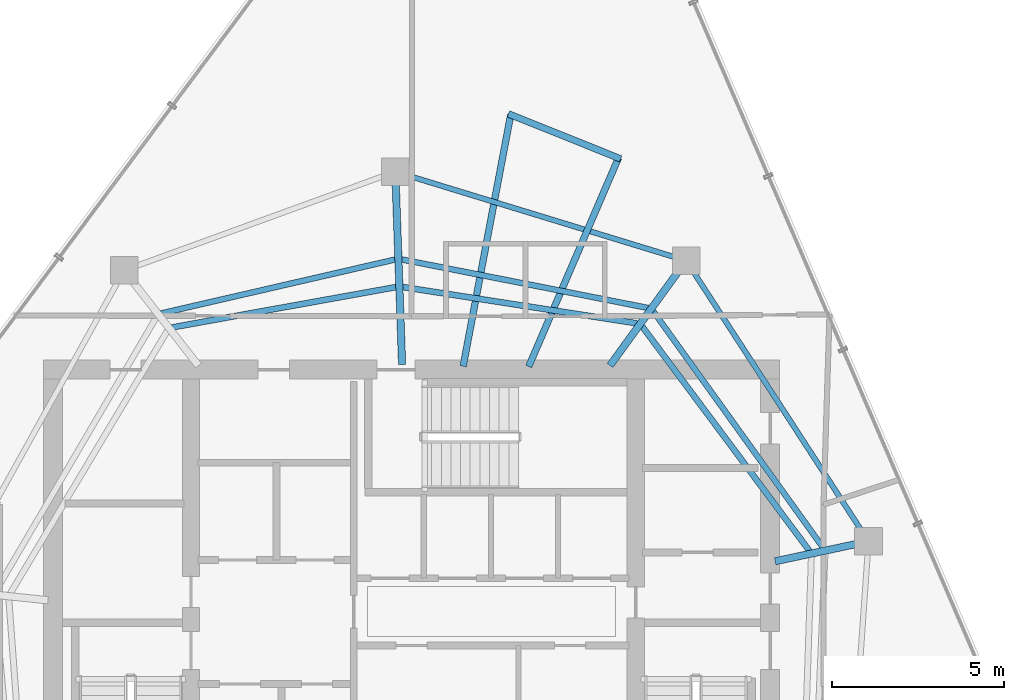
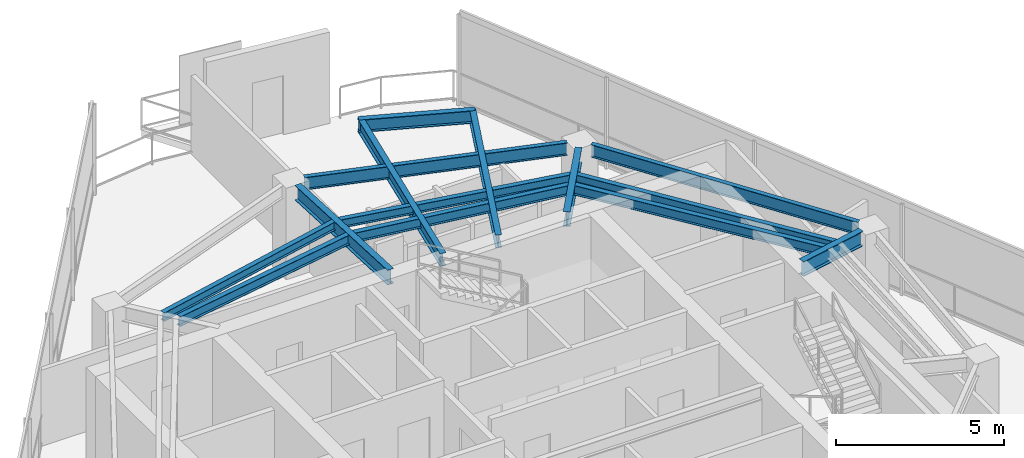
# One storey, part 9 of 18: 14 beams.
"""IFC4 building model written with IfcOpenShell, lengths in metres."""

from ifc_helpers import new_model, si_unit, direction, frame, origin, origin_2d, place, context, subcontext, project, spatial, i_section, extrude, material, material_profile, profile_set, type_object, element, save


model = new_model("IFC4")

# Units and contexts
model_context = context("Model", 3, precision=1e-05, world=origin(), true_north=direction((0.0, 1.0)))
body_context = subcontext(model_context, "Body", "Model", "MODEL_VIEW")
ifc_project = project(units=[si_unit("LENGTHUNIT", "METRE"), si_unit("AREAUNIT", "SQUARE_METRE"), si_unit("VOLUMEUNIT", "CUBIC_METRE"), si_unit("PLANEANGLEUNIT", "RADIAN"), si_unit("MASSUNIT", "GRAM", prefix="KILO")], contexts=[model_context])

# Site, building, storey
site_placement = place(None, origin())
site = spatial("IfcSite", under=ifc_project, at=site_placement, CompositionType="ELEMENT")
building_placement = place(site_placement, origin())
building = spatial("IfcBuilding", under=site, at=building_placement, Name="Qarnah Convention Tower", CompositionType="ELEMENT")
storey_placement = place(building_placement, frame((0.0, 0.0, 267.89990234375)))
storey = spatial("IfcBuildingStorey", under=building, at=storey_placement, Name="L72", CompositionType="ELEMENT", Elevation=267.89990234375)

# Beams
ifc_material = material(Name="Structural steel S355JR", Category="steel")
ifc_material_profile_1 = material_profile(ifc_material, i_section(OverallWidth=0.19189453125, OverallDepth=0.464111328125, WebThickness=0.010986328125, FlangeThickness=0.01806640625, at=origin_2d()), Name="W460X89")
ifc_profile_set_1 = profile_set([ifc_material_profile_1], Name="Structural steel S355JR")
beam_type_1 = type_object("IfcBeamType", Name="BM-CANT-W460A", PredefinedType="BEAM", material=ifc_profile_set_1)
beam_1_placement = place(storey_placement, frame((38.694091796875, 34.298095703125, 3.088134765625), z_axis=(0.185836759901, 0.982580632146, 0.0), x_axis=(-0.982580632146, 0.185836759901, 0.0)))
element("IfcBeam", 1, at=beam_1_placement, inside=storey, type_object=beam_type_1, Name="L72 beam BM-L72-CNT-01-1", PredefinedType="BEAM", context=body_context, shape_type="SweptSolid", body=[
    extrude(i_section(OverallWidth=0.19189453125, OverallDepth=0.464111328125, WebThickness=0.010986328125, FlangeThickness=0.01806640625, at=origin_2d()), origin(), (0.0, 0.0, 1.0), 7.42529296875),
])
beam_2_placement = place(storey_placement, frame((40.596923828125, 34.2919921875, 3.088134765625), z_axis=(0.395203303624, 0.918593679929, 0.0), x_axis=(-0.918593679929, 0.395203303624, 0.0)))
element("IfcBeam", 2, at=beam_2_placement, inside=storey, type_object=beam_type_1, Name="L72 beam BM-L72-CNT-01-2", PredefinedType="BEAM", context=body_context, shape_type="SweptSolid", body=[
    extrude(i_section(OverallWidth=0.19189453125, OverallDepth=0.464111328125, WebThickness=0.010986328125, FlangeThickness=0.01806640625, at=origin_2d()), origin(), (0.0, 0.0, 1.0), 6.583984375),
])
beam_3_placement = place(storey_placement, frame((40.009033203125, 41.6201171875, 3.088134765625), z_axis=(0.928063247738, -0.372422620417, 0.0), x_axis=(0.372422620417, 0.928063247738, 0.0)))
element("IfcBeam", 3, at=beam_3_placement, inside=storey, type_object=beam_type_1, Name="L72 spandrel BM-L72-CTIE-01", PredefinedType="SPANDREL", context=body_context, shape_type="SweptSolid", body=[
    extrude(i_section(OverallWidth=0.19189453125, OverallDepth=0.464111328125, WebThickness=0.010986328125, FlangeThickness=0.01806640625, at=origin_2d()), origin(), (0.0, 0.0, 1.0), 3.507080078125),
])
ifc_material_profile_2 = material_profile(ifc_material, i_section(OverallWidth=0.166015625, OverallDepth=0.31201171875, WebThickness=0.007080078125, FlangeThickness=0.010986328125, at=origin_2d()), Name="W310X45")
ifc_profile_set_2 = profile_set([ifc_material_profile_2], Name="Structural steel S355JR")
beam_type_2 = type_object("IfcBeamType", Name="BM-JST-W310", PredefinedType="JOIST", material=ifc_profile_set_2)
beam_4_placement = place(storey_placement, frame((49.14501953125, 29.02294921875, 3.1640625), z_axis=(-0.58344586601, 0.812152030986, 0.0), x_axis=(-0.812152030986, -0.58344586601, 0.0)))
element("IfcBeam", 4, at=beam_4_placement, inside=storey, type_object=beam_type_2, Name="L72 joist BM-L72-SJST-01", PredefinedType="JOIST", context=body_context, shape_type="SweptSolid", body=[
    extrude(i_section(OverallWidth=0.166015625, OverallDepth=0.31201171875, WebThickness=0.007080078125, FlangeThickness=0.010986328125, at=origin_2d()), origin(), (0.0, 0.0, 1.0), 8.465087890625),
])
beam_5_placement = place(storey_placement, frame((44.06494140625, 35.988037109375, 3.1640625), z_axis=(-0.98114260341, 0.193285260103, 0.0), x_axis=(-0.193285260103, -0.98114260341, 0.0)))
element("IfcBeam", 5, at=beam_5_placement, inside=storey, type_object=beam_type_2, Name="L72 joist BM-L72-SJST-02", PredefinedType="JOIST", context=body_context, shape_type="SweptSolid", body=[
    extrude(i_section(OverallWidth=0.166015625, OverallDepth=0.31201171875, WebThickness=0.007080078125, FlangeThickness=0.010986328125, at=origin_2d()), origin(), (0.0, 0.0, 1.0), 7.299560546875),
])
beam_6_placement = place(storey_placement, frame((36.72705078125, 37.39599609375, 3.1640625), z_axis=(-0.974498532047, -0.224393874777, 0.0), x_axis=(0.224393874777, -0.974498532047, 0.0)))
element("IfcBeam", 6, at=beam_6_placement, inside=storey, type_object=beam_type_2, Name="L72 joist BM-L72-SJST-03", PredefinedType="JOIST", context=body_context, shape_type="SweptSolid", body=[
    extrude(i_section(OverallWidth=0.166015625, OverallDepth=0.31201171875, WebThickness=0.007080078125, FlangeThickness=0.010986328125, at=origin_2d()), origin(), (0.0, 0.0, 1.0), 6.9697265625),
])
ifc_material_profile_3 = material_profile(ifc_material, i_section(OverallWidth=0.172119140625, OverallDepth=0.35595703125, WebThickness=0.007080078125, FlangeThickness=0.011962890625, at=origin_2d()), Name="W360X51")
ifc_profile_set_3 = profile_set([ifc_material_profile_3], Name="Structural steel S355JR")
beam_type_3 = type_object("IfcBeamType", Name="BM-JST-W360", PredefinedType="JOIST", material=ifc_profile_set_3)
beam_7_placement = place(storey_placement, frame((48.7451171875, 28.93701171875, 3.14208984375), z_axis=(-0.597624038881, 0.801776470191, 0.0), x_axis=(-0.801776470191, -0.597624038881, 0.0)))
element("IfcBeam", 7, at=beam_7_placement, inside=storey, type_object=beam_type_3, Name="L72 joist BM-L72-IJST-01", PredefinedType="JOIST", context=body_context, shape_type="SweptSolid", body=[
    extrude(i_section(OverallWidth=0.172119140625, OverallDepth=0.35595703125, WebThickness=0.007080078125, FlangeThickness=0.011962890625, at=origin_2d()), origin(), (0.0, 0.0, 1.0), 8.130859375),
])
beam_8_placement = place(storey_placement, frame((43.742919921875, 35.5419921875, 3.14208984375), z_axis=(-0.988191204816, 0.153225790013, 0.0), x_axis=(-0.153225790013, -0.988191204816, 0.0)))
element("IfcBeam", 8, at=beam_8_placement, inside=storey, type_object=beam_type_3, Name="L72 joist BM-L72-IJST-02", PredefinedType="JOIST", context=body_context, shape_type="SweptSolid", body=[
    extrude(i_section(OverallWidth=0.172119140625, OverallDepth=0.35595703125, WebThickness=0.007080078125, FlangeThickness=0.011962890625, at=origin_2d()), origin(), (0.0, 0.0, 1.0), 6.89111328125),
])
beam_9_placement = place(storey_placement, frame((36.7548828125, 36.595947265625, 3.14208984375), z_axis=(-0.98417817063, -0.177181625613, 0.0), x_axis=(0.177181625613, -0.98417817063, 0.0)))
element("IfcBeam", 9, at=beam_9_placement, inside=storey, type_object=beam_type_3, Name="L72 joist BM-L72-IJST-03", PredefinedType="JOIST", context=body_context, shape_type="SweptSolid", body=[
    extrude(i_section(OverallWidth=0.172119140625, OverallDepth=0.35595703125, WebThickness=0.007080078125, FlangeThickness=0.011962890625, at=origin_2d()), origin(), (0.0, 0.0, 1.0), 6.6083984375),
])
ifc_material_profile_4 = material_profile(ifc_material, i_section(OverallWidth=0.2119140625, OverallDepth=0.5400390625, WebThickness=0.011962890625, FlangeThickness=0.01904296875, at=origin_2d()), Name="W530X109")
ifc_profile_set_4 = profile_set([ifc_material_profile_4], Name="Structural steel S355JR")
beam_type_4 = type_object("IfcBeamType", Name="BM-RAD-W530A", PredefinedType="BEAM", material=ifc_profile_set_4)
beam_10_placement = place(storey_placement, frame((47.7470703125, 28.64111328125, 3.050048828125), z_axis=(0.978103714349, 0.20811805298, 0.0), x_axis=(-0.20811805298, 0.978103714349, 0.0)))
element("IfcBeam", 10, at=beam_10_placement, inside=storey, type_object=beam_type_4, Name="L72 beam BM-L72-RAD-01", PredefinedType="BEAM", context=body_context, shape_type="SweptSolid", body=[
    extrude(i_section(OverallWidth=0.2119140625, OverallDepth=0.5400390625, WebThickness=0.011962890625, FlangeThickness=0.01904296875, at=origin_2d()), origin(), (0.0, 0.0, 1.0), 2.38720703125),
])
beam_11_placement = place(storey_placement, frame((42.955078125, 34.321044921875, 3.050048828125), z_axis=(0.587699029113, 0.809079632162, 0.0), x_axis=(-0.809079632162, 0.587699029113, 0.0)))
element("IfcBeam", 11, at=beam_11_placement, inside=storey, type_object=beam_type_4, Name="L72 beam BM-L72-RAD-02", PredefinedType="BEAM", context=body_context, shape_type="SweptSolid", body=[
    extrude(i_section(OverallWidth=0.2119140625, OverallDepth=0.5400390625, WebThickness=0.011962890625, FlangeThickness=0.01904296875, at=origin_2d()), origin(), (0.0, 0.0, 1.0), 3.37890625),
])
beam_12_placement = place(storey_placement, frame((36.923095703125, 34.35009765625, 3.050048828125), z_axis=(-0.035110435588, 0.999383438582, 0.0), x_axis=(-0.999383438582, -0.035110435588, 0.0)))
element("IfcBeam", 12, at=beam_12_placement, inside=storey, type_object=beam_type_4, Name="L72 beam BM-L72-RAD-03", PredefinedType="BEAM", context=body_context, shape_type="SweptSolid", body=[
    extrude(i_section(OverallWidth=0.2119140625, OverallDepth=0.5400390625, WebThickness=0.011962890625, FlangeThickness=0.01904296875, at=origin_2d()), origin(), (0.0, 0.0, 1.0), 5.215087890625),
])
ifc_material_profile_5 = material_profile(ifc_material, i_section(OverallWidth=0.154052734375, OverallDepth=0.4599609375, WebThickness=0.009033203125, FlangeThickness=0.014892578125, at=origin_2d()), Name="W460X68")
ifc_profile_set_5 = profile_set([ifc_material_profile_5], Name="Structural steel S355JR")
beam_type_5 = type_object("IfcBeamType", Name="BM-SPN-W460B", PredefinedType="SPANDREL", material=ifc_profile_set_5)
beam_13_placement = place(storey_placement, frame((50.241943359375, 29.5439453125, 3.090087890625), z_axis=(-0.544739511184, 0.838605309401, 0.0), x_axis=(-0.838605309401, -0.544739511184, 0.0)))
element("IfcBeam", 13, at=beam_13_placement, inside=storey, type_object=beam_type_5, Name="L72 spandrel BM-L72-SPN-01", PredefinedType="SPANDREL", context=body_context, shape_type="SweptSolid", body=[
    extrude(i_section(OverallWidth=0.154052734375, OverallDepth=0.4599609375, WebThickness=0.009033203125, FlangeThickness=0.014892578125, at=origin_2d()), origin(), (0.0, 0.0, 1.0), 8.9326171875),
])
beam_14_placement = place(storey_placement, frame((44.791015625, 37.47607421875, 3.090087890625), z_axis=(-0.95628886523, 0.292423675918, 0.0), x_axis=(-0.292423675918, -0.95628886523, 0.0)))
element("IfcBeam", 14, at=beam_14_placement, inside=storey, type_object=beam_type_5, Name="L72 spandrel BM-L72-SPN-02", PredefinedType="SPANDREL", context=body_context, shape_type="SweptSolid", body=[
    extrude(i_section(OverallWidth=0.154052734375, OverallDepth=0.4599609375, WebThickness=0.009033203125, FlangeThickness=0.014892578125, at=origin_2d()), origin(), (0.0, 0.0, 1.0), 8.04248046875),
])

save(model, "model.ifc")
